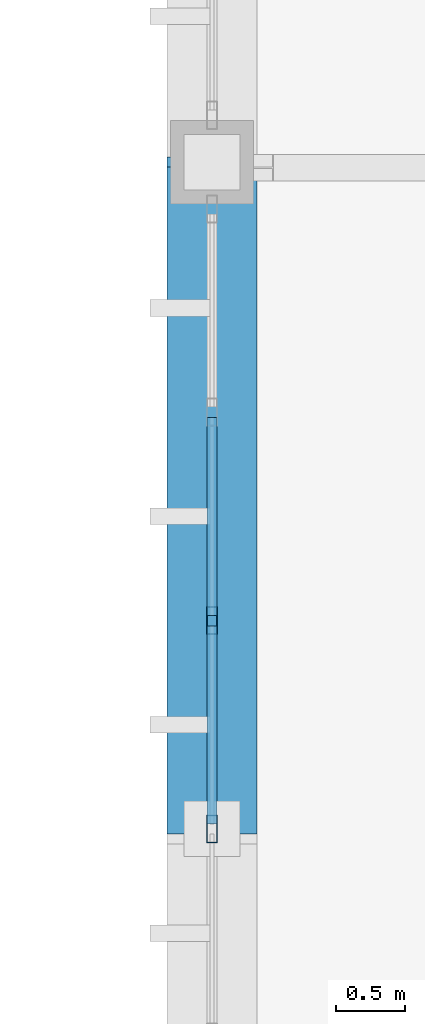
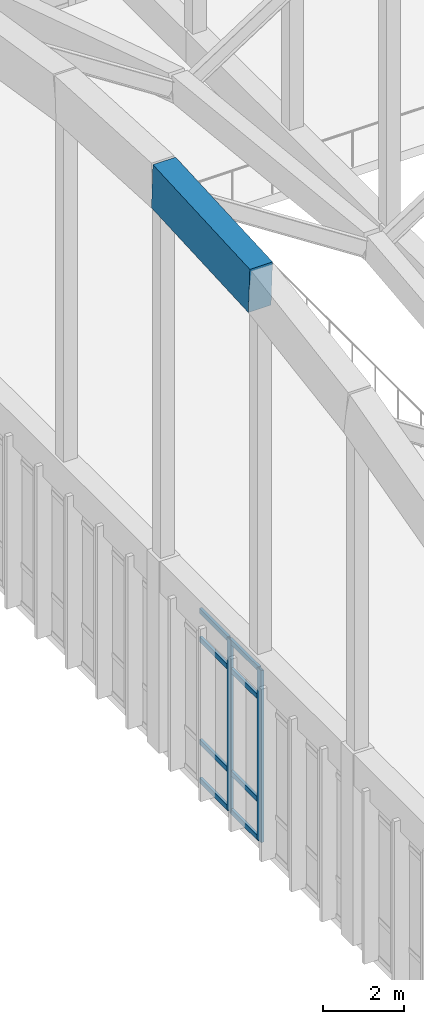
# One storey, part 41 of 236: 11 members, 1 element without a shape of its own.
"""IFC4 building model written with IfcOpenShell, lengths in metres."""

from ifc_helpers import new_model, si_unit, direction, frame, origin, origin_2d, place, context, subcontext, project, spatial, rectangle, hollow_rectangle, extrude, material, layer, layer_set, material_profile, profile_set, type_object, element, aggregate, save


model = new_model("IFC4")

# Units and contexts
model_context = context("Model", 3, precision=1e-05, world=origin(), true_north=direction((0.0, 1.0)))
body_context = subcontext(model_context, "Body", "Model", "MODEL_VIEW")
ifc_project = project(units=[si_unit("LENGTHUNIT", "METRE"), si_unit("AREAUNIT", "SQUARE_METRE"), si_unit("VOLUMEUNIT", "CUBIC_METRE"), si_unit("PLANEANGLEUNIT", "RADIAN"), si_unit("MASSUNIT", "GRAM", prefix="KILO")], contexts=[model_context])

# Site, building, storey
site_placement = place(None, origin())
site = spatial("IfcSite", under=ifc_project, at=site_placement, CompositionType="ELEMENT")
building_placement = place(site_placement, origin())
building = spatial("IfcBuilding", under=site, at=building_placement, Name="Pandanus Reach Market Hall", CompositionType="ELEMENT")
storey_placement = place(building_placement, frame((0.0, 0.0, 5.39990234375)))
storey = spatial("IfcBuildingStorey", under=building, at=storey_placement, Name="L01", CompositionType="ELEMENT", Elevation=5.39990234375)

# Member
ifc_material_1 = material(Name="Concrete N50 (50 MPa)", Category="concrete")
ifc_material_profile_1 = material_profile(ifc_material_1, rectangle(XDim=0.64990234375, YDim=1.35009765625, at=origin_2d()), Name="RC650x1350", Category="LoadBearing")
ifc_profile_set_1 = profile_set([ifc_material_profile_1], Name="Concrete N50 (50 MPa)")
member_type_1 = type_object("IfcMemberType", Name="AR-RC650-E", PredefinedType="CHORD", material=ifc_profile_set_1)
member_1_placement = place(storey_placement, frame((48.0, 52.800048828125, 16.724609375), z_axis=(0.0, 0.998587783012, 0.053126637558), x_axis=(-1.0, 0.0, 0.0)))
element("IfcMember", 1, at=member_1_placement, inside=storey, type_object=member_type_1, Name="Parabolic arch top chord A1.6", PredefinedType="CHORD", context=body_context, shape_type="SweptSolid", body=[
    extrude(rectangle(XDim=0.64990234375, YDim=1.35009765625, at=origin_2d()), origin(), (0.0, 0.0, 1.0), 4.806884765625),
])

# Curtain wall, members
ifc_material_2 = material(Name="Bronze anodised aluminium and low-E glass", Category="aluminium")
ifc_layer = layer(ifc_material_2, 0.199951171875, Name="CW-05")
ifc_layer_set = layer_set([ifc_layer], Name="Bronze anodised aluminium and low-E glass")
curtain_wall_type = type_object("IfcCurtainWallType", Name="CW-05", PredefinedType="NOTDEFINED", material=ifc_layer_set)
curtain_wall_placement = place(storey_placement, origin())
curtain_wall = element("IfcCurtainWall", 2, at=curtain_wall_placement, inside=storey, type_object=curtain_wall_type, Name="Glazed curtain wall CW-05 CW-0025", PredefinedType="NOTDEFINED")
ifc_material_3 = material(Name="Bronze anodised aluminium", Category="aluminium")
ifc_material_profile_2 = material_profile(ifc_material_3, hollow_rectangle(XDim=0.074951171875, YDim=0.199951171875, WallThickness=0.00439453125, at=origin_2d()), Name="ALU75x200", Category="LoadBearing")
ifc_profile_set_2 = profile_set([ifc_material_profile_2], Name="Bronze anodised aluminium")
member_type_2 = type_object("IfcMemberType", Name="CW-M2", PredefinedType="MULLION", material=ifc_profile_set_2)
member_2_placement = place(storey_placement, frame((48.0, 52.800048828125, 0.0), z_axis=(0.0, 0.0, 1.0), x_axis=(-1.0, 0.0, 0.0)))
member_2 = element("IfcMember", 3, at=member_2_placement, type_object=member_type_2, Name="CW-05 mullion 4", PredefinedType="MULLION", context=body_context, shape_type="SweptSolid", body=[
    extrude(hollow_rectangle(XDim=0.074951171875, YDim=0.199951171875, WallThickness=0.00439453125, at=origin_2d()), origin(), (0.0, 0.0, 1.0), 5.2001953125),
])
member_3_placement = place(storey_placement, frame((48.0, 54.300048828125, 0.0), z_axis=(0.0, 0.0, 1.0), x_axis=(-1.0, 0.0, 0.0)))
member_3 = element("IfcMember", 4, at=member_3_placement, type_object=member_type_2, Name="CW-05 mullion 5", PredefinedType="MULLION", context=body_context, shape_type="SweptSolid", body=[
    extrude(hollow_rectangle(XDim=0.074951171875, YDim=0.199951171875, WallThickness=0.00439453125, at=origin_2d()), origin(), (0.0, 0.0, 1.0), 5.2001953125),
])
ifc_material_profile_3 = material_profile(ifc_material_3, hollow_rectangle(XDim=0.074951171875, YDim=0.14990234375, WallThickness=0.00439453125, at=origin_2d()), Name="ALU75x150", Category="LoadBearing")
ifc_profile_set_3 = profile_set([ifc_material_profile_3], Name="Bronze anodised aluminium")
member_type_3 = type_object("IfcMemberType", Name="CW-T2", PredefinedType="USERDEFINED", material=ifc_profile_set_3)
member_4_placement = place(storey_placement, frame((48.0, 52.83740234375, 0.03759765625), z_axis=(0.0, 1.0, 0.0), x_axis=(-1.0, 0.0, 0.0)))
member_4 = element("IfcMember", 5, at=member_4_placement, type_object=member_type_3, Name="CW-05 transom 4.1", ObjectType="TRANSOM", PredefinedType="USERDEFINED", context=body_context, shape_type="SweptSolid", body=[
    extrude(hollow_rectangle(XDim=0.074951171875, YDim=0.14990234375, WallThickness=0.00439453125, at=origin_2d()), origin(), (0.0, 0.0, 1.0), 1.425048828125),
])
member_5_placement = place(storey_placement, frame((48.0, 52.83740234375, 1.2001953125), z_axis=(0.0, 1.0, 0.0), x_axis=(-1.0, 0.0, 0.0)))
member_5 = element("IfcMember", 6, at=member_5_placement, type_object=member_type_3, Name="CW-05 transom 4.2", ObjectType="TRANSOM", PredefinedType="USERDEFINED", context=body_context, shape_type="SweptSolid", body=[
    extrude(hollow_rectangle(XDim=0.074951171875, YDim=0.14990234375, WallThickness=0.00439453125, at=origin_2d()), origin(), (0.0, 0.0, 1.0), 1.425048828125),
])
member_6_placement = place(storey_placement, frame((48.0, 52.83740234375, 4.300048828125), z_axis=(0.0, 1.0, 0.0), x_axis=(-1.0, 0.0, 0.0)))
member_6 = element("IfcMember", 7, at=member_6_placement, type_object=member_type_3, Name="CW-05 transom 4.3", ObjectType="TRANSOM", PredefinedType="USERDEFINED", context=body_context, shape_type="SweptSolid", body=[
    extrude(hollow_rectangle(XDim=0.074951171875, YDim=0.14990234375, WallThickness=0.00439453125, at=origin_2d()), origin(), (0.0, 0.0, 1.0), 1.425048828125),
])
member_7_placement = place(storey_placement, frame((48.0, 52.83740234375, 5.16259765625), z_axis=(0.0, 1.0, 0.0), x_axis=(-1.0, 0.0, 0.0)))
member_7 = element("IfcMember", 8, at=member_7_placement, type_object=member_type_3, Name="CW-05 transom 4.4", ObjectType="TRANSOM", PredefinedType="USERDEFINED", context=body_context, shape_type="SweptSolid", body=[
    extrude(hollow_rectangle(XDim=0.074951171875, YDim=0.14990234375, WallThickness=0.00439453125, at=origin_2d()), origin(), (0.0, 0.0, 1.0), 1.425048828125),
])
member_8_placement = place(storey_placement, frame((48.0, 54.33740234375, 0.03759765625), z_axis=(0.0, 1.0, 0.0), x_axis=(-1.0, 0.0, 0.0)))
member_8 = element("IfcMember", 9, at=member_8_placement, type_object=member_type_3, Name="CW-05 transom 5.1", ObjectType="TRANSOM", PredefinedType="USERDEFINED", context=body_context, shape_type="SweptSolid", body=[
    extrude(hollow_rectangle(XDim=0.074951171875, YDim=0.14990234375, WallThickness=0.00439453125, at=origin_2d()), origin(), (0.0, 0.0, 1.0), 1.425048828125),
])
member_9_placement = place(storey_placement, frame((48.0, 54.33740234375, 1.2001953125), z_axis=(0.0, 1.0, 0.0), x_axis=(-1.0, 0.0, 0.0)))
member_9 = element("IfcMember", 10, at=member_9_placement, type_object=member_type_3, Name="CW-05 transom 5.2", ObjectType="TRANSOM", PredefinedType="USERDEFINED", context=body_context, shape_type="SweptSolid", body=[
    extrude(hollow_rectangle(XDim=0.074951171875, YDim=0.14990234375, WallThickness=0.00439453125, at=origin_2d()), origin(), (0.0, 0.0, 1.0), 1.425048828125),
])
member_10_placement = place(storey_placement, frame((48.0, 54.33740234375, 4.300048828125), z_axis=(0.0, 1.0, 0.0), x_axis=(-1.0, 0.0, 0.0)))
member_10 = element("IfcMember", 11, at=member_10_placement, type_object=member_type_3, Name="CW-05 transom 5.3", ObjectType="TRANSOM", PredefinedType="USERDEFINED", context=body_context, shape_type="SweptSolid", body=[
    extrude(hollow_rectangle(XDim=0.074951171875, YDim=0.14990234375, WallThickness=0.00439453125, at=origin_2d()), origin(), (0.0, 0.0, 1.0), 1.425048828125),
])
member_11_placement = place(storey_placement, frame((48.0, 54.33740234375, 5.16259765625), z_axis=(0.0, 1.0, 0.0), x_axis=(-1.0, 0.0, 0.0)))
member_11 = element("IfcMember", 12, at=member_11_placement, type_object=member_type_3, Name="CW-05 transom 5.4", ObjectType="TRANSOM", PredefinedType="USERDEFINED", context=body_context, shape_type="SweptSolid", body=[
    extrude(hollow_rectangle(XDim=0.074951171875, YDim=0.14990234375, WallThickness=0.00439453125, at=origin_2d()), origin(), (0.0, 0.0, 1.0), 1.425048828125),
])
aggregate(curtain_wall, [member_2, member_3, member_4, member_5, member_6, member_7, member_8, member_9, member_10, member_11])

save(model, "model.ifc")
